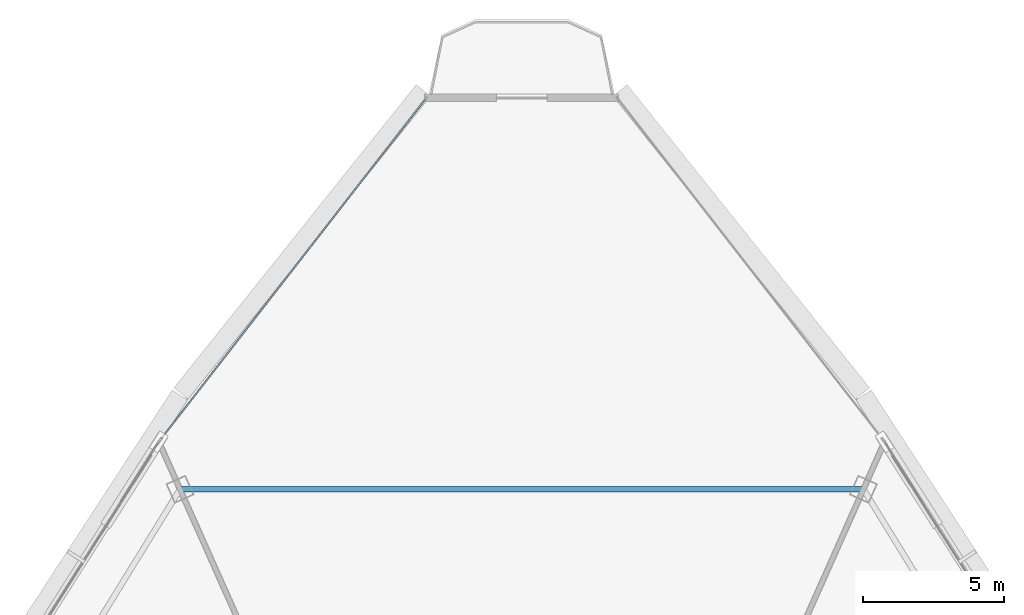
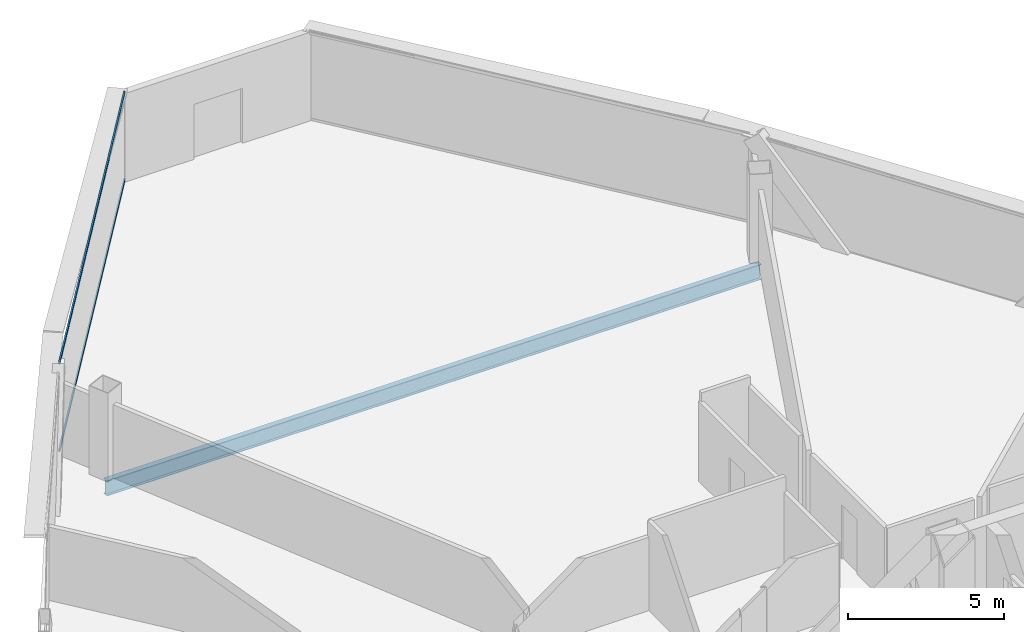
# One storey, part 22 of 35: 2 members, 1 beam, 1 element without a shape of its own.
"""IFC4 building model written with IfcOpenShell, lengths in metres."""

import ifcopenshell
import ifcopenshell.guid

model = None  # the IFC model being written
_history = None  # IfcOwnerHistory: only IFC2X3 demands one
_inside = {}  # id of a spatial element -> (the spatial element, [elements in it])
_under = {}  # id of a project, library or spatial element -> (it, [spatial elements below it])
_declared = {}  # id of a project -> (the project, [libraries it declares])
_typed = {}  # id of a type object -> (the type object, [elements of that type])
_made_of = {}  # id of a material, layer set ... -> (it, [elements and type objects made of it])


def new_model(schema):
    """Start an empty IFC model of exactly this schema.

    Asked for "IFC4X3", IfcOpenShell would pick the latest addendum, in which some entities
    have other attributes; the version numbers below select the first issue.
    IFC2X3 requires an IfcOwnerHistory on every rooted entity: one is made here for all.
    """
    global model, _history
    if schema == "IFC4X3":
        model = ifcopenshell.file(schema_version=(4, 3, 0, 0))
    else:
        model = ifcopenshell.file(schema=schema)
    _inside.clear()
    _under.clear()
    _declared.clear()
    _typed.clear()
    _made_of.clear()
    _history = None
    if model.schema == "IFC2X3":
        org = make("IfcOrganization", Name="unknown")
        user = make(
            "IfcPersonAndOrganization",
            ThePerson=make("IfcPerson", FamilyName="unknown"),
            TheOrganization=org,
        )
        app = make(
            "IfcApplication",
            ApplicationDeveloper=org,
            Version="unknown",
            ApplicationFullName="unknown",
            ApplicationIdentifier="unknown",
        )
        _history = make(
            "IfcOwnerHistory",
            OwningUser=user,
            OwningApplication=app,
            ChangeAction="ADDED",
            CreationDate=0,
        )
    return model


def make(cls, **values):
    """One entity of the class cls with the attributes given. An attribute that is None is left unset."""
    return model.create_entity(
        cls, **{name: value for name, value in values.items() if value is not None}
    )


def rooted(cls, **values):
    """An entity with a GlobalId (a new one), such as an element, a storey or a relation."""
    return make(cls, GlobalId=ifcopenshell.guid.new(), OwnerHistory=_history, **values)


def si_unit(unit_type, name, prefix=None):
    """IfcSIUnit, for example si_unit("LENGTHUNIT", "METRE", prefix="MILLI")."""
    return make("IfcSIUnit", UnitType=unit_type, Prefix=prefix, Name=name)


def assignment(units):
    """IfcUnitAssignment: the units of a project."""
    return None if units is None else make("IfcUnitAssignment", Units=units)


def point(xyz):
    """IfcCartesianPoint."""
    return None if xyz is None else make("IfcCartesianPoint", Coordinates=xyz)


def direction(xyz):
    """IfcDirection."""
    return None if xyz is None else make("IfcDirection", DirectionRatios=xyz)


def frame(location, z_axis=None, x_axis=None):
    """IfcAxis2Placement3D, a coordinate frame: its origin and axes. An axis left out is left unset."""
    return make(
        "IfcAxis2Placement3D",
        Location=point(location),
        Axis=direction(z_axis),
        RefDirection=direction(x_axis),
    )


def frame_2d(location, x_axis=None):
    """IfcAxis2Placement2D, a coordinate frame in the plane: its origin and x axis."""
    return make(
        "IfcAxis2Placement2D", Location=point(location), RefDirection=direction(x_axis)
    )


def origin():
    """The frame at (0, 0, 0) with its axes left unset."""
    return frame((0.0, 0.0, 0.0))


def origin_2d():
    """The frame at (0, 0) in the plane with its x axis left unset."""
    return frame_2d((0.0, 0.0))


def place(relative_to, where):
    """IfcLocalPlacement: puts the frame where relative to a parent placement (None: the world)."""
    return make(
        "IfcLocalPlacement", PlacementRelTo=relative_to, RelativePlacement=where
    )


def context(
    kind, dimensions, precision=None, world=None, true_north=None, identifier=None
):
    """IfcGeometricRepresentationContext, for example the 3D "Model" context."""
    return make(
        "IfcGeometricRepresentationContext",
        ContextIdentifier=identifier,
        ContextType=kind,
        CoordinateSpaceDimension=dimensions,
        Precision=precision,
        WorldCoordinateSystem=world,
        TrueNorth=true_north,
    )


def subcontext(parent, identifier, kind, view, scale=None):
    """IfcGeometricRepresentationSubContext, for example "Body" below "Model"."""
    return make(
        "IfcGeometricRepresentationSubContext",
        ContextIdentifier=identifier,
        ContextType=kind,
        ParentContext=parent,
        TargetScale=scale,
        TargetView=view,
    )


def project(units=None, contexts=None):
    """IfcProject with its units and contexts."""
    return rooted(
        "IfcProject",
        Name="project",
        RepresentationContexts=contexts,
        UnitsInContext=assignment(units),
    )


def spatial(cls, under=None, at=None, **own):
    """A site, building, storey or space (cls), placed at a placement, below another one or the project."""
    s = rooted(cls, ObjectPlacement=at, **own)
    if under is not None:
        _under.setdefault(under.id(), (under, []))[1].append(s)
    return s


def profile(cls, at=None, kind="AREA", **sizes):
    """A parametric profile (cls). Its sizes go by their IFC names, for example OverallWidth=200.0."""
    return make(cls, ProfileType=kind, Position=at, **sizes)


def hollow_rectangle(**sizes):
    """IfcRectangleHollowProfileDef."""
    return profile("IfcRectangleHollowProfileDef", **sizes)


def i_section(**sizes):
    """IfcIShapeProfileDef."""
    return profile("IfcIShapeProfileDef", **sizes)


def extrude(swept, where, along, depth):
    """IfcExtrudedAreaSolid: the profile swept, set in the frame where, extruded along a direction by depth."""
    return make(
        "IfcExtrudedAreaSolid",
        SweptArea=swept,
        Position=where,
        ExtrudedDirection=direction(along),
        Depth=depth,
    )


def shape(context_of_items, identifier, shape_type, items):
    """IfcShapeRepresentation: the items that make up one representation, for example the "Body"."""
    return make(
        "IfcShapeRepresentation",
        ContextOfItems=context_of_items,
        RepresentationIdentifier=identifier,
        RepresentationType=shape_type,
        Items=items,
    )


def source(mapping_origin, context_of_items, identifier, shape_type, items):
    """IfcRepresentationMap: a shape defined once, which mapped items show again and again."""
    return make(
        "IfcRepresentationMap",
        MappingOrigin=mapping_origin,
        MappedRepresentation=shape(context_of_items, identifier, shape_type, items),
    )


def transform(
    local_origin,
    x_axis=None,
    y_axis=None,
    z_axis=None,
    scale=None,
    scale2=None,
    scale3=None,
    uniform=True,
):
    """IfcCartesianTransformationOperator3D, or its non-uniform kind. x_axis, y_axis, z_axis: its Axis1, 2, 3."""
    if uniform:
        return make(
            "IfcCartesianTransformationOperator3D",
            Axis1=direction(x_axis),
            Axis2=direction(y_axis),
            LocalOrigin=point(local_origin),
            Scale=scale,
            Axis3=direction(z_axis),
        )
    return make(
        "IfcCartesianTransformationOperator3DnonUniform",
        Axis1=direction(x_axis),
        Axis2=direction(y_axis),
        LocalOrigin=point(local_origin),
        Scale=scale,
        Axis3=direction(z_axis),
        Scale2=scale2,
        Scale3=scale3,
    )


def mapped(mapping_source, mapping_target):
    """IfcMappedItem: shows the shape of a source again, moved by a transform."""
    return make(
        "IfcMappedItem", MappingSource=mapping_source, MappingTarget=mapping_target
    )


def material(Name=None, Category=None):
    """IfcMaterial."""
    return make("IfcMaterial", Name=Name, Category=Category)


def layer(
    of_material, thickness, ventilated=None, Name=None, Category=None, Priority=None
):
    """IfcMaterialLayer: one layer of a wall or slab, of a material (None: an air gap)."""
    return make(
        "IfcMaterialLayer",
        Material=of_material,
        LayerThickness=thickness,
        IsVentilated=ventilated,
        Name=Name,
        Category=Category,
        Priority=Priority,
    )


def layer_set(layers, Name=None):
    """IfcMaterialLayerSet."""
    return make("IfcMaterialLayerSet", MaterialLayers=layers, LayerSetName=Name)


def material_profile(
    of_material, cross_section, Name=None, Category=None, Priority=None
):
    """IfcMaterialProfile: a cross section and its material."""
    return make(
        "IfcMaterialProfile",
        Name=Name,
        Material=of_material,
        Profile=cross_section,
        Priority=Priority,
        Category=Category,
    )


def profile_set(profiles, Name=None, composite=None):
    """IfcMaterialProfileSet."""
    return make(
        "IfcMaterialProfileSet",
        Name=Name,
        MaterialProfiles=profiles,
        CompositeProfile=composite,
    )


def made_of(thing, what):
    """Note that an element or type object is made of a material, layer set ...; save() writes the relation."""
    if what is not None:
        _made_of.setdefault(what.id(), (what, []))[1].append(thing)
    return thing


def type_object(cls, material=None, **own):
    """A type object (cls), such as IfcWallType, which elements share."""
    return made_of(rooted(cls, **own), material)


def element(
    cls,
    number,
    at=None,
    inside=None,
    cuts=None,
    type_object=None,
    material=None,
    context=None,
    identifier="Body",
    shape_type=None,
    held_by="IfcProductDefinitionShape",
    body=None,
    shapes=None,
    **own,
):
    """One element of the class cls, such as IfcWall. Its Tag is "e" and its number.

    at: its placement. inside: the storey or other place that contains it. cuts: it is an
    opening in that element (IfcRelVoidsElement). A single representation is given by context,
    identifier, shape_type and body (its items); several are given by shapes. held_by: the class
    of the entity that holds the representations. save() writes the other relations.
    """
    e = rooted(cls, Tag="e%d" % number, ObjectPlacement=at, **own)
    if body is not None:
        shapes = [shape(context, identifier, shape_type, body)]
    if shapes is not None:
        e.Representation = make(held_by, Representations=shapes)
    if inside is not None:
        _inside.setdefault(inside.id(), (inside, []))[1].append(e)
    if cuts is not None:
        rooted(
            "IfcRelVoidsElement", RelatingBuildingElement=cuts, RelatedOpeningElement=e
        )
    if type_object is not None:
        _typed.setdefault(type_object.id(), (type_object, []))[1].append(e)
    return made_of(e, material)


def aggregate(whole, parts):
    """IfcRelAggregates: a whole, such as a stair, and the parts it consists of."""
    return rooted("IfcRelAggregates", RelatingObject=whole, RelatedObjects=parts)


def save(model, path):
    """Write the relations noted so far, then the file.

    IfcRelAggregates (storeys below a building ...), IfcRelContainedInSpatialStructure (elements
    in a storey), IfcRelDefinesByType, IfcRelAssociatesMaterial and IfcRelDeclares: one each for
    every whole, place, type object, material and project.
    """
    for whole, parts in _under.values():
        aggregate(whole, parts)
    for where, things in _inside.values():
        rooted(
            "IfcRelContainedInSpatialStructure",
            RelatedElements=things,
            RelatingStructure=where,
        )
    for kind, things in _typed.values():
        rooted("IfcRelDefinesByType", RelatedObjects=things, RelatingType=kind)
    for what, things in _made_of.values():
        rooted("IfcRelAssociatesMaterial", RelatedObjects=things, RelatingMaterial=what)
    for by, libraries in _declared.values():
        rooted("IfcRelDeclares", RelatingContext=by, RelatedDefinitions=libraries)
    model.write(path)


model = new_model("IFC4")

# Units and contexts
model_context = context("Model", 3, precision=1e-05, world=origin(), true_north=direction((0.0, 1.0)))
body_context = subcontext(model_context, "Body", "Model", "MODEL_VIEW")
ifc_project = project(units=[si_unit("LENGTHUNIT", "METRE"), si_unit("AREAUNIT", "SQUARE_METRE"), si_unit("VOLUMEUNIT", "CUBIC_METRE"), si_unit("PLANEANGLEUNIT", "RADIAN"), si_unit("MASSUNIT", "GRAM", prefix="KILO"), si_unit("THERMODYNAMICTEMPERATUREUNIT", "KELVIN"), si_unit("POWERUNIT", "WATT")], contexts=[model_context])

# Site, building, storey
site_placement = place(None, origin())
site = spatial("IfcSite", under=ifc_project, at=site_placement, CompositionType="ELEMENT")
building_placement = place(site_placement, origin())
building = spatial("IfcBuilding", under=site, at=building_placement, Name="Yunzhuo Pagoda Commons", CompositionType="ELEMENT")
storey_placement = place(building_placement, frame((0.0, 0.0, 299.93994140625)))
storey = spatial("IfcBuildingStorey", under=building, at=storey_placement, Name="L75", CompositionType="ELEMENT", Elevation=299.93994140625)

# Beam
ifc_material_1 = material(Name="Structural steel Q355B", Category="steel")
ifc_material_profile_1 = material_profile(ifc_material_1, i_section(OverallWidth=0.199951171875, OverallDepth=0.60009765625, WebThickness=0.010986328125, FlangeThickness=0.01708984375, at=origin_2d()), Name="Structural steel Q355B")
ifc_profile_set_1 = profile_set([ifc_material_profile_1], Name="Structural steel Q355B")
beam_type = type_object("IfcBeamType", Name="B-RG3 Beam HN 600x200x11x17", PredefinedType="BEAM", material=ifc_profile_set_1)
shared_shape_1 = source(origin(), body_context, "Body", "SweptSolid", [
    extrude(i_section(OverallWidth=0.199951171875, OverallDepth=0.60009765625, WebThickness=0.010986328125, FlangeThickness=0.01708984375, at=origin_2d()), origin(), (0.0, 0.0, 1.0), 24.228515625),
])
beam_placement = place(storey_placement, frame((60.1142578125, 60.9091796875, -0.56005859375), z_axis=(-1.0, 0.0, 0.0), x_axis=(0.0, -1.0, 0.0)))
element("IfcBeam", 1, at=beam_placement, inside=storey, type_object=beam_type, Name="L75 column-ring beam 8", PredefinedType="BEAM", context=body_context, shape_type="MappedRepresentation", body=[
    mapped(shared_shape_1, transform((0.0, 0.0, 0.0), scale=1.0)),
])

# Curtain wall, members
ifc_material_2 = material(Name="Anodized aluminium 6063-T6", Category="aluminium")
ifc_layer = layer(ifc_material_2, 0.139892578125)
ifc_layer_set = layer_set([ifc_layer], Name="Anodized aluminium 6063-T6")
curtain_wall_type = type_object("IfcCurtainWallType", Name="CW-HI High-Zone Ribbon Curtain Wall", PredefinedType="NOTDEFINED", material=ifc_layer_set)
curtain_wall_placement = place(storey_placement, origin())
curtain_wall = element("IfcCurtainWall", 2, at=curtain_wall_placement, inside=storey, type_object=curtain_wall_type, Name="L75 curtain wall CW-L75-F3B1", PredefinedType="NOTDEFINED")
ifc_material_profile_2 = material_profile(ifc_material_2, hollow_rectangle(XDim=0.054931640625, YDim=0.1201171875, WallThickness=0.00341796875, at=origin_2d()), Name="Anodized aluminium 6063-T6")
ifc_profile_set_2 = profile_set([ifc_material_profile_2], Name="Anodized aluminium 6063-T6")
member_type = type_object("IfcMemberType", Name="CW-HI-T Transom RHS 120x55x3.5", PredefinedType="USERDEFINED", material=ifc_profile_set_2)
shared_shape_2 = source(origin(), body_context, "Body", "SweptSolid", [
    extrude(hollow_rectangle(XDim=0.054931640625, YDim=0.1201171875, WallThickness=0.00341796875, at=origin_2d()), origin(), (0.0, 0.0, 1.0), 15.25146484375),
])
member_1_placement = place(storey_placement, frame((44.580322265625, 74.74072265625, 0.027587890625), z_axis=(-0.613841977514, -0.789428924376, 0.0), x_axis=(0.789428924376, -0.613841977514, 0.0)))
member_1 = element("IfcMember", 3, at=member_1_placement, type_object=member_type, Name="CW transom 1.1", ObjectType="TRANSOM", PredefinedType="USERDEFINED", context=body_context, shape_type="MappedRepresentation", body=[
    mapped(shared_shape_2, transform((0.0, 0.0, 0.0), scale=1.0)),
])
member_2_placement = place(storey_placement, frame((44.580322265625, 74.74072265625, 3.442626953125), z_axis=(-0.613841977514, -0.789428924376, 0.0), x_axis=(0.789428924376, -0.613841977514, 0.0)))
member_2 = element("IfcMember", 4, at=member_2_placement, type_object=member_type, Name="CW transom 1.2", ObjectType="TRANSOM", PredefinedType="USERDEFINED", context=body_context, shape_type="MappedRepresentation", body=[
    mapped(shared_shape_2, transform((0.0, 0.0, 0.0), scale=1.0)),
])
aggregate(curtain_wall, [member_1, member_2])

save(model, "model.ifc")
